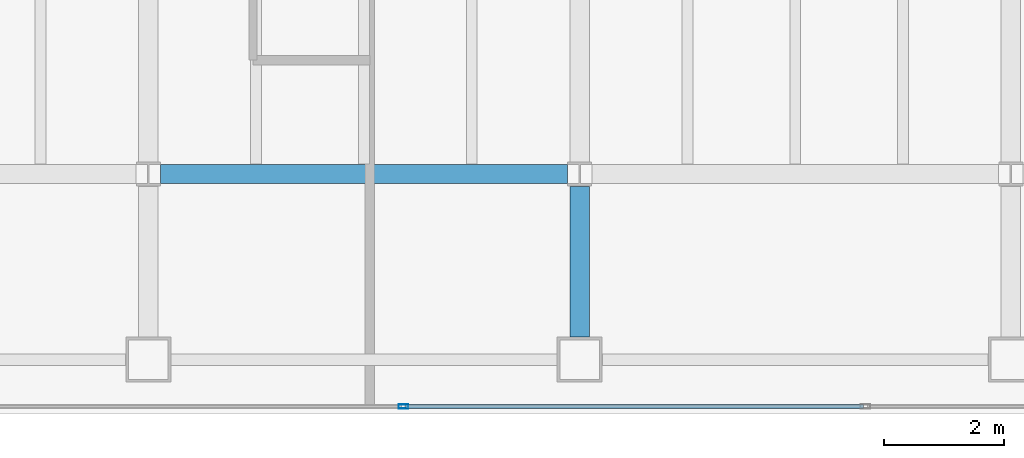
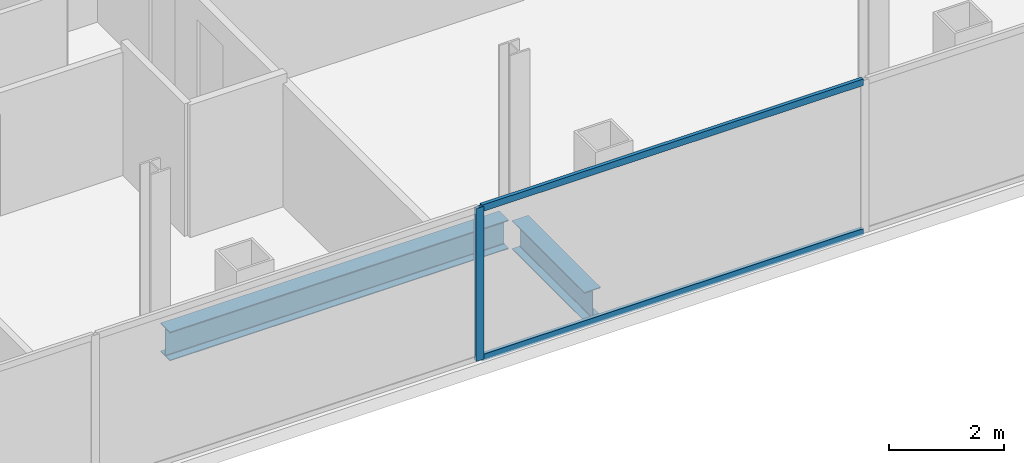
# One storey, part 6 of 23: 3 members, 2 beams, 1 element without a shape of its own.
"""IFC4 building model written with IfcOpenShell, lengths in metres."""

from ifc_helpers import new_model, si_unit, direction, frame, origin, origin_2d, place, context, subcontext, project, spatial, hollow_rectangle, i_section, extrude, material, material_profile, profile_set, type_object, element, aggregate, save


model = new_model("IFC4")

# Units and contexts
model_context = context("Model", 3, precision=1e-05, world=origin(), true_north=direction((0.0, 1.0)))
body_context = subcontext(model_context, "Body", "Model", "MODEL_VIEW")
ifc_project = project(units=[si_unit("LENGTHUNIT", "METRE"), si_unit("AREAUNIT", "SQUARE_METRE"), si_unit("VOLUMEUNIT", "CUBIC_METRE"), si_unit("PLANEANGLEUNIT", "RADIAN"), si_unit("MASSUNIT", "GRAM", prefix="KILO")], contexts=[model_context])

# Site, building, storey
site_placement = place(None, origin())
site = spatial("IfcSite", under=ifc_project, at=site_placement, CompositionType="ELEMENT")
building_placement = place(site_placement, origin())
building = spatial("IfcBuilding", under=site, at=building_placement, Name="Cobrela Telecom Tower", CompositionType="ELEMENT")
storey_placement = place(building_placement, frame((0.0, 0.0, 204.75)))
storey = spatial("IfcBuildingStorey", under=building, at=storey_placement, Name="L52", CompositionType="ELEMENT", Elevation=204.75)

# Beams
ifc_material_1 = material(Name="Steel ASTM A992 Grade 50", Category="steel")
ifc_material_profile_1 = material_profile(ifc_material_1, i_section(OverallWidth=0.324951171875, OverallDepth=0.612060546875, WebThickness=0.0126953125, FlangeThickness=0.01904296875, FilletRadius=0.014892578125, at=origin_2d()), Name="W24X104")
ifc_profile_set_1 = profile_set([ifc_material_profile_1], Name="Steel ASTM A992 Grade 50")
beam_type = type_object("IfcBeamType", Name="BM-GIRD-07", PredefinedType="USERDEFINED", material=ifc_profile_set_1)
beam_1_placement = place(storey_placement, frame((21.804443359375, 7.199951171875, -0.56591796875), z_axis=(1.0, 0.0, 0.0), x_axis=(0.0, 1.0, 0.0)))
element("IfcBeam", 1, at=beam_1_placement, inside=storey, type_object=beam_type, Name="L52 Primary Girder X08", ObjectType="GIRDER", PredefinedType="USERDEFINED", context=body_context, shape_type="SweptSolid", body=[
    extrude(i_section(OverallWidth=0.324951171875, OverallDepth=0.612060546875, WebThickness=0.0126953125, FlangeThickness=0.01904296875, FilletRadius=0.014892578125, at=origin_2d()), origin(), (0.0, 0.0, 1.0), 6.791015625),
])
beam_2_placement = place(storey_placement, frame((28.800048828125, 4.47998046875, -0.56591796875), z_axis=(0.0, 1.0, 0.0), x_axis=(-1.0, 0.0, 0.0)))
element("IfcBeam", 2, at=beam_2_placement, inside=storey, type_object=beam_type, Name="L52 Primary Girder Y36", ObjectType="GIRDER", PredefinedType="USERDEFINED", context=body_context, shape_type="SweptSolid", body=[
    extrude(i_section(OverallWidth=0.324951171875, OverallDepth=0.612060546875, WebThickness=0.0126953125, FlangeThickness=0.01904296875, FilletRadius=0.014892578125, at=origin_2d()), origin(), (0.0, 0.0, 1.0), 2.515625),
])

# Curtain wall, members
ifc_material_2 = material(Name="Anodized Bronze Aluminium 6063-T6", Category="aluminium")
curtain_wall_type = type_object("IfcCurtainWallType", Name="CW-SYS-OFF-LO", PredefinedType="USERDEFINED", material=ifc_material_2)
curtain_wall_placement = place(storey_placement, origin())
curtain_wall = element("IfcCurtainWall", 3, at=curtain_wall_placement, inside=storey, type_object=curtain_wall_type, Name="L52 Unitised Bronze Curtain Wall 17", ObjectType="UNITISED CURTAIN WALL", PredefinedType="USERDEFINED")
ifc_material_profile_2 = material_profile(ifc_material_2, hollow_rectangle(XDim=0.070068359375, YDim=0.159912109375, WallThickness=0.00390625, at=origin_2d()), Name="ALU 70x160x4")
ifc_profile_set_2 = profile_set([ifc_material_profile_2], Name="Anodized Bronze Aluminium 6063-T6")
member_type_1 = type_object("IfcMemberType", Name="CW-SYS-OFF-LO-MUL", PredefinedType="MULLION", material=ifc_profile_set_2)
member_1_placement = place(storey_placement, frame((25.85791015625, 3.320068359375, 0.0), z_axis=(0.0, 0.0, 1.0), x_axis=(0.0, -1.0, 0.0)))
member_1 = element("IfcMember", 4, at=member_1_placement, type_object=member_type_1, Name="CW-OFF-LO mullion 3", PredefinedType="MULLION", context=body_context, shape_type="SweptSolid", body=[
    extrude(hollow_rectangle(XDim=0.070068359375, YDim=0.159912109375, WallThickness=0.00390625, at=origin_2d()), origin(), (0.0, 0.0, 1.0), 3.239990234375),
])
ifc_material_profile_3 = material_profile(ifc_material_2, hollow_rectangle(XDim=0.070068359375, YDim=0.139892578125, WallThickness=0.00390625, at=origin_2d()), Name="ALU 70x140x4")
ifc_profile_set_3 = profile_set([ifc_material_profile_3], Name="Anodized Bronze Aluminium 6063-T6")
member_type_2 = type_object("IfcMemberType", Name="CW-SYS-OFF-LO-TRN", PredefinedType="USERDEFINED", material=ifc_profile_set_3)
member_2_placement = place(storey_placement, frame((33.5390625, 3.320068359375, 0.034912109375), z_axis=(-1.0, 0.0, 0.0), x_axis=(0.0, -1.0, 0.0)))
member_2 = element("IfcMember", 5, at=member_2_placement, type_object=member_type_2, Name="CW-OFF-LO transom 2.1", ObjectType="TRANSOM", PredefinedType="USERDEFINED", context=body_context, shape_type="SweptSolid", body=[
    extrude(hollow_rectangle(XDim=0.070068359375, YDim=0.139892578125, WallThickness=0.00390625, at=origin_2d()), origin(), (0.0, 0.0, 1.0), 7.64599609375),
])
member_3_placement = place(storey_placement, frame((33.5390625, 3.320068359375, 3.205078125), z_axis=(-1.0, 0.0, 0.0), x_axis=(0.0, -1.0, 0.0)))
member_3 = element("IfcMember", 6, at=member_3_placement, type_object=member_type_2, Name="CW-OFF-LO transom 2.2", ObjectType="TRANSOM", PredefinedType="USERDEFINED", context=body_context, shape_type="SweptSolid", body=[
    extrude(hollow_rectangle(XDim=0.070068359375, YDim=0.139892578125, WallThickness=0.00390625, at=origin_2d()), origin(), (0.0, 0.0, 1.0), 7.64599609375),
])
aggregate(curtain_wall, [member_1, member_2, member_3])

save(model, "model.ifc")
